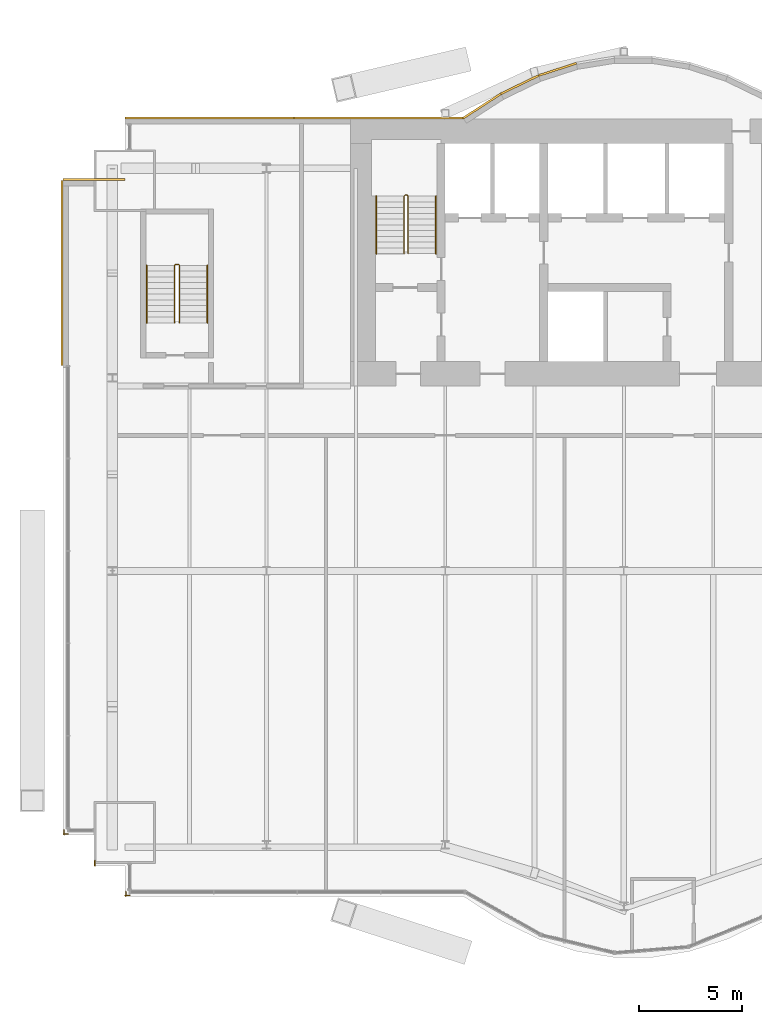
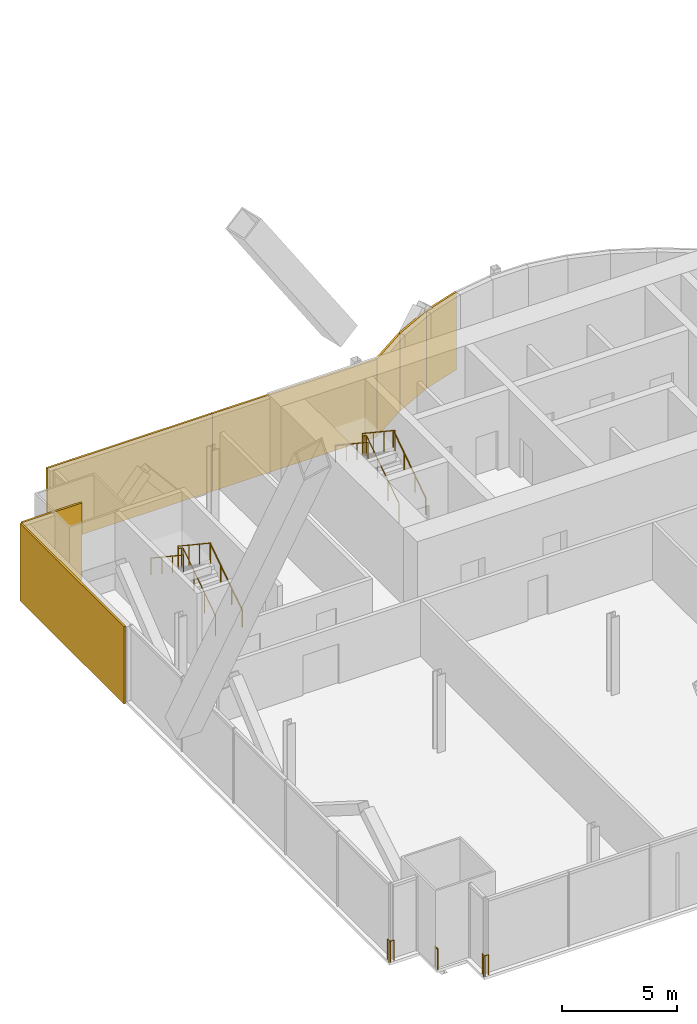
# One storey, part 21 of 23: 9 railings, 7 coverings.
"""IFC4 building model written with IfcOpenShell, lengths in metres."""

from ifc_helpers import new_model, si_unit, direction, frame, origin, origin_2d, place, context, subcontext, project, spatial, rectangle, circle, extrude, material, layer, layer_set, type_object, element, save


model = new_model("IFC4")

# Units and contexts
model_context = context("Model", 3, precision=1e-05, world=origin(), true_north=direction((0.0, 1.0)))
body_context = subcontext(model_context, "Body", "Model", "MODEL_VIEW")
ifc_project = project(units=[si_unit("LENGTHUNIT", "METRE"), si_unit("AREAUNIT", "SQUARE_METRE"), si_unit("VOLUMEUNIT", "CUBIC_METRE"), si_unit("PLANEANGLEUNIT", "RADIAN"), si_unit("MASSUNIT", "GRAM", prefix="KILO")], contexts=[model_context])

# Site, building, storey
site_placement = place(None, origin())
site = spatial("IfcSite", under=ifc_project, at=site_placement, CompositionType="ELEMENT")
building_placement = place(site_placement, origin())
building = spatial("IfcBuilding", under=site, at=building_placement, Name="Bicima Exchange Tower", CompositionType="ELEMENT")
storey_placement = place(building_placement, frame((0.0, 0.0, 110.39990234375)))
storey = spatial("IfcBuildingStorey", under=building, at=storey_placement, Name="L23", CompositionType="ELEMENT", Elevation=110.39990234375)

# Coverings
ifc_material_1 = material(Name="Bronze metal cladding")
ifc_layer_1 = layer(ifc_material_1, 0.004)
ifc_material_2 = material(Name="Ventilated cavity")
ifc_layer_2 = layer(ifc_material_2, 0.06)
ifc_material_3 = material(Name="Galvanised steel rail and mineral wool", Category="steel")
ifc_layer_3 = layer(ifc_material_3, 0.036)
ifc_layer_set = layer_set([ifc_layer_1, ifc_layer_2, ifc_layer_3], Name="Ventilated cavity")
covering_type = type_object("IfcCoveringType", Name="Bronze metal cladding panel 100", PredefinedType="CLADDING", material=ifc_layer_set)
covering_1_placement = place(storey_placement, frame((-11.931884765625, 2.41796875, -0.14990234375), z_axis=(0.0, 0.0, 1.0), x_axis=(-0.951524642381, -0.307572519808, 0.0)))
element("IfcCovering", 1, at=covering_1_placement, inside=storey, type_object=covering_type, Name="Bronze cladding L23 17.1", PredefinedType="CLADDING", context=body_context, shape_type="SweptSolid", body=[
    extrude(rectangle(XDim=1.9267578125, YDim=0.10009765625, at=origin_2d()), origin(), (0.0, 0.0, 1.0), 4.10009765625),
])
covering_2_placement = place(storey_placement, frame((-13.771728515625, 1.674560546875, -0.14990234375), z_axis=(0.0, 0.0, 1.0), x_axis=(-0.899818346812, -0.436264762204, 0.0)))
element("IfcCovering", 2, at=covering_2_placement, inside=storey, type_object=covering_type, Name="Bronze cladding L23 18.1", PredefinedType="CLADDING", context=body_context, shape_type="SweptSolid", body=[
    extrude(rectangle(XDim=2.03759765625, YDim=0.10009765625, at=origin_2d()), origin(), (0.0, 0.0, 1.0), 4.10009765625),
])
covering_3_placement = place(storey_placement, frame((-15.610595703125, 0.634521484375, -0.14990234375), z_axis=(0.0, 0.0, 1.0), x_axis=(-0.839790466384, -0.542910648791, 0.0)))
element("IfcCovering", 3, at=covering_3_placement, inside=storey, type_object=covering_type, Name="Bronze cladding L23 19.1", PredefinedType="CLADDING", context=body_context, shape_type="SweptSolid", body=[
    extrude(rectangle(XDim=2.18310546875, YDim=0.10009765625, at=origin_2d()), origin(), (0.0, 0.0, 1.0), 4.10009765625),
])
for number, where, z_axis, x_axis, name in (
    (4, (-20.625, 0.050048828125, -0.14990234375), (0.0, 0.0, 1.0), (-1.0, 0.0, 0.0), "Bronze cladding L23 20.1"),
    (5, (-28.875, 0.050048828125, -0.14990234375), (0.0, 0.0, 1.0), (-1.0, 0.0, 0.0), "Bronze cladding L23 20.2"),
):
    element("IfcCovering", number, at=place(storey_placement, frame(where, z_axis=z_axis, x_axis=x_axis)), inside=storey, type_object=covering_type, Name=name, PredefinedType="CLADDING", context=body_context, shape_type="SweptSolid", body=[
        extrude(rectangle(XDim=8.25, YDim=0.10009765625, at=origin_2d()), origin(), (0.0, 0.0, 1.0), 4.10009765625),
    ])
covering_4_placement = place(storey_placement, frame((-34.5, -2.949951171875, -0.14990234375), z_axis=(0.0, 0.0, 1.0), x_axis=(-1.0, 0.0, 0.0)))
element("IfcCovering", 6, at=covering_4_placement, inside=storey, type_object=covering_type, Name="Bronze cladding L23 22.1", PredefinedType="CLADDING", context=body_context, shape_type="SweptSolid", body=[
    extrude(rectangle(XDim=3.0, YDim=0.10009765625, at=origin_2d()), origin(), (0.0, 0.0, 1.0), 4.10009765625),
])
covering_5_placement = place(storey_placement, frame((-36.050048828125, -7.5, -0.14990234375), z_axis=(0.0, 0.0, 1.0), x_axis=(0.0, -1.0, 0.0)))
element("IfcCovering", 7, at=covering_5_placement, inside=storey, type_object=covering_type, Name="Bronze cladding L23 23.1", PredefinedType="CLADDING", context=body_context, shape_type="SweptSolid", body=[
    extrude(rectangle(XDim=9.0, YDim=0.10009765625, at=origin_2d()), origin(), (0.0, 0.0, 1.0), 4.10009765625),
])

# Railings
ifc_material_4 = material(Name="Stainless steel and bonded safety glass", Category="steel")
railing_type_1 = type_object("IfcRailingType", Name="Edge guard 1100", PredefinedType="GUARDRAIL", material=ifc_material_4)
railing_1_placement = place(storey_placement, frame((-35.75, -34.802001953125, 0.0)))
element("IfcRailing", 8, at=railing_1_placement, inside=storey, type_object=railing_type_1, Name="Edge guard L23 109", PredefinedType="GUARDRAIL", context=body_context, shape_type="SweptSolid", body=[
    extrude(circle(Radius=0.02392578125, at=origin_2d()), frame((0.0, 0.0, 1.076171875), z_axis=(-1.0, 0.0, 0.0), x_axis=(0.0, -1.0, 0.0)), (0.0, 0.0, 1.0), 0.25),
    extrude(circle(Radius=0.02392578125, at=origin_2d()), frame((-0.25, 0.0, 1.076171875), z_axis=(0.707106781187, -0.707106781187, 0.0), x_axis=(0.707106781187, 0.707106781187, 0.0)), (0.0, 0.0, 1.0), 0.07080078125),
    extrude(circle(Radius=0.02392578125, at=origin_2d()), frame((-0.199951171875, -0.050048828125, 1.076171875), z_axis=(0.0, 1.0, 0.0), x_axis=(-1.0, 0.0, 0.0)), (0.0, 0.0, 1.0), 0.2490234375),
    extrude(circle(Radius=0.02099609375, at=origin_2d()), origin(), (0.0, 0.0, 1.0), 1.052001953125),
    extrude(circle(Radius=0.02099609375, at=origin_2d()), frame((-0.25, 0.0, 0.0)), (0.0, 0.0, 1.0), 1.052001953125),
    extrude(circle(Radius=0.02099609375, at=origin_2d()), frame((-0.199951171875, -0.050048828125, 0.0)), (0.0, 0.0, 1.0), 1.052001953125),
    extrude(circle(Radius=0.02099609375, at=origin_2d()), frame((-0.199951171875, 0.198974609375, 0.0)), (0.0, 0.0, 1.0), 1.052001953125),
])
railing_2_placement = place(storey_placement, frame((-32.75, -37.802001953125, 0.0)))
element("IfcRailing", 9, at=railing_2_placement, inside=storey, type_object=railing_type_1, Name="Edge guard L23 113", PredefinedType="GUARDRAIL", context=body_context, shape_type="SweptSolid", body=[
    extrude(circle(Radius=0.02392578125, at=origin_2d()), frame((0.0, 0.0, 1.076171875), z_axis=(-1.0, 0.0, 0.0), x_axis=(0.0, -1.0, 0.0)), (0.0, 0.0, 1.0), 0.25),
    extrude(circle(Radius=0.02392578125, at=origin_2d()), frame((-0.25, 0.0, 1.076171875), z_axis=(0.707106781187, -0.707106781187, 0.0), x_axis=(0.707106781187, 0.707106781187, 0.0)), (0.0, 0.0, 1.0), 0.07080078125),
    extrude(circle(Radius=0.02392578125, at=origin_2d()), frame((-0.199951171875, -0.050048828125, 1.076171875), z_axis=(0.0, 1.0, 0.0), x_axis=(-1.0, 0.0, 0.0)), (0.0, 0.0, 1.0), 0.25),
    extrude(circle(Radius=0.02099609375, at=origin_2d()), origin(), (0.0, 0.0, 1.0), 1.052001953125),
    extrude(circle(Radius=0.02099609375, at=origin_2d()), frame((-0.25, 0.0, 0.0)), (0.0, 0.0, 1.0), 1.052001953125),
    extrude(circle(Radius=0.02099609375, at=origin_2d()), frame((-0.199951171875, -0.050048828125, 0.0)), (0.0, 0.0, 1.0), 1.052001953125),
    extrude(circle(Radius=0.02099609375, at=origin_2d()), frame((-0.199951171875, 0.199951171875, 0.0)), (0.0, 0.0, 1.0), 1.052001953125),
])
railing_3_placement = place(storey_placement, frame((-34.449951171875, -36.35205078125, 0.0)))
element("IfcRailing", 10, at=railing_3_placement, inside=storey, type_object=railing_type_1, Name="Edge guard L23 114", PredefinedType="GUARDRAIL", context=body_context, shape_type="SweptSolid", body=[
    extrude(circle(Radius=0.02392578125, at=origin_2d()), frame((0.0, 0.0, 1.076171875), z_axis=(0.0, 1.0, 0.0), x_axis=(-1.0, 0.0, 0.0)), (0.0, 0.0, 1.0), 0.25),
    extrude(circle(Radius=0.02099609375, at=origin_2d()), origin(), (0.0, 0.0, 1.0), 1.052001953125),
    extrude(circle(Radius=0.02099609375, at=origin_2d()), frame((0.0, 0.25, 0.0)), (0.0, 0.0, 1.0), 1.052001953125),
])
ifc_material_5 = material(Name="Stainless steel", Category="steel")
railing_type_2 = type_object("IfcRailingType", Name="Stair guard 1100", PredefinedType="GUARDRAIL", material=ifc_material_5)
railing_4_placement = place(storey_placement, frame((-19.199951171875, -6.550048828125, 0.1865234375)))
element("IfcRailing", 11, at=railing_4_placement, inside=storey, type_object=railing_type_2, Name="L23 ST-W stair guard 1", PredefinedType="GUARDRAIL", context=body_context, shape_type="SweptSolid", body=[
    extrude(circle(Radius=0.02392578125, at=origin_2d()), frame((0.0, 0.0, 1.076171875), z_axis=(0.0, 0.832485552168, 0.554046753832), x_axis=(-1.0, 0.0, 0.0)), (0.0, 0.0, 1.0), 3.363525390625),
    extrude(circle(Radius=0.02392578125, at=origin_2d()), frame((0.0, 2.800048828125, 2.939453125), z_axis=(-0.707106781187, 0.707106781187, 0.0), x_axis=(-0.707106781187, -0.707106781187, 0.0)), (0.0, 0.0, 1.0), 0.07080078125),
    extrude(circle(Radius=0.02392578125, at=origin_2d()), frame((-0.050048828125, 2.85009765625, 2.939453125), z_axis=(-1.0, 0.0, 0.0), x_axis=(0.0, -1.0, 0.0)), (0.0, 0.0, 1.0), 0.10009765625),
    extrude(circle(Radius=0.02392578125, at=origin_2d()), frame((-0.150146484375, 2.85009765625, 2.939453125), z_axis=(-0.249722437352, -0.250946566947, 0.935235010476), x_axis=(0.708833529934, -0.705375805398, 0.0)), (0.0, 0.0, 1.0), 0.199462890625),
    extrude(circle(Radius=0.02392578125, at=origin_2d()), frame((-0.199951171875, 2.800048828125, 3.1259765625), z_axis=(0.0, -0.832485552168, 0.554046753832), x_axis=(1.0, 0.0, 0.0)), (0.0, 0.0, 1.0), 3.363525390625),
    extrude(circle(Radius=0.02099609375, at=origin_2d()), origin(), (0.0, 0.0, 1.0), 1.052001953125),
    extrude(circle(Radius=0.02099609375, at=origin_2d()), frame((0.0, 0.933349609375, 0.62109375)), (0.0, 0.0, 1.0), 1.052001953125),
    extrude(circle(Radius=0.02099609375, at=origin_2d()), frame((0.0, 1.86669921875, 1.242431640625)), (0.0, 0.0, 1.0), 1.052001953125),
    extrude(circle(Radius=0.02099609375, at=origin_2d()), frame((0.0, 2.800048828125, 1.863525390625)), (0.0, 0.0, 1.0), 1.052001953125),
    extrude(circle(Radius=0.02099609375, at=origin_2d()), frame((-0.050048828125, 2.85009765625, 1.863525390625)), (0.0, 0.0, 1.0), 1.052001953125),
    extrude(circle(Radius=0.02099609375, at=origin_2d()), frame((-0.150146484375, 2.85009765625, 1.863525390625)), (0.0, 0.0, 1.0), 1.052001953125),
    extrude(circle(Radius=0.02099609375, at=origin_2d()), frame((-0.199951171875, 2.800048828125, 2.050048828125)), (0.0, 0.0, 1.0), 1.052001953125),
    extrude(circle(Radius=0.02099609375, at=origin_2d()), frame((-0.199951171875, 1.86669921875, 2.671142578125)), (0.0, 0.0, 1.0), 1.052001953125),
    extrude(circle(Radius=0.02099609375, at=origin_2d()), frame((-0.199951171875, 0.933349609375, 3.29248046875)), (0.0, 0.0, 1.0), 1.052001953125),
    extrude(circle(Radius=0.02099609375, at=origin_2d()), frame((-0.199951171875, 0.0, 3.91357421875)), (0.0, 0.0, 1.0), 1.052001953125),
])
railing_5_placement = place(storey_placement, frame((-30.324951171875, -9.925048828125, 0.1865234375)))
element("IfcRailing", 12, at=railing_5_placement, inside=storey, type_object=railing_type_2, Name="L23 ST-WW stair guard 1", PredefinedType="GUARDRAIL", context=body_context, shape_type="SweptSolid", body=[
    extrude(circle(Radius=0.02392578125, at=origin_2d()), frame((0.0, 0.0, 1.076171875), z_axis=(0.0, 0.832485552168, 0.554046753832), x_axis=(-1.0, 0.0, 0.0)), (0.0, 0.0, 1.0), 3.363525390625),
    extrude(circle(Radius=0.02392578125, at=origin_2d()), frame((0.0, 2.800048828125, 2.939453125), z_axis=(-0.707106781187, 0.707106781187, 0.0), x_axis=(-0.707106781187, -0.707106781187, 0.0)), (0.0, 0.0, 1.0), 0.07080078125),
    extrude(circle(Radius=0.02392578125, at=origin_2d()), frame((-0.050048828125, 2.85009765625, 2.939453125), z_axis=(-1.0, 0.0, 0.0), x_axis=(0.0, -1.0, 0.0)), (0.0, 0.0, 1.0), 0.14990234375),
    extrude(circle(Radius=0.02392578125, at=origin_2d()), frame((-0.199951171875, 2.85009765625, 2.939453125), z_axis=(-0.250869701741, -0.250869701741, 0.934948546978), x_axis=(0.707106781187, -0.707106781187, 0.0)), (0.0, 0.0, 1.0), 0.199462890625),
    extrude(circle(Radius=0.02392578125, at=origin_2d()), frame((-0.25, 2.800048828125, 3.1259765625), z_axis=(0.0, -0.832485552168, 0.554046753832), x_axis=(1.0, 0.0, 0.0)), (0.0, 0.0, 1.0), 3.363525390625),
    extrude(circle(Radius=0.02099609375, at=origin_2d()), origin(), (0.0, 0.0, 1.0), 1.052001953125),
    extrude(circle(Radius=0.02099609375, at=origin_2d()), frame((0.0, 0.933349609375, 0.62109375)), (0.0, 0.0, 1.0), 1.052001953125),
    extrude(circle(Radius=0.02099609375, at=origin_2d()), frame((0.0, 1.86669921875, 1.242431640625)), (0.0, 0.0, 1.0), 1.052001953125),
    extrude(circle(Radius=0.02099609375, at=origin_2d()), frame((0.0, 2.800048828125, 1.863525390625)), (0.0, 0.0, 1.0), 1.052001953125),
    extrude(circle(Radius=0.02099609375, at=origin_2d()), frame((-0.050048828125, 2.85009765625, 1.863525390625)), (0.0, 0.0, 1.0), 1.052001953125),
    extrude(circle(Radius=0.02099609375, at=origin_2d()), frame((-0.199951171875, 2.85009765625, 1.863525390625)), (0.0, 0.0, 1.0), 1.052001953125),
    extrude(circle(Radius=0.02099609375, at=origin_2d()), frame((-0.25, 2.800048828125, 2.050048828125)), (0.0, 0.0, 1.0), 1.052001953125),
    extrude(circle(Radius=0.02099609375, at=origin_2d()), frame((-0.25, 1.86669921875, 2.671142578125)), (0.0, 0.0, 1.0), 1.052001953125),
    extrude(circle(Radius=0.02099609375, at=origin_2d()), frame((-0.25, 0.933349609375, 3.29248046875)), (0.0, 0.0, 1.0), 1.052001953125),
    extrude(circle(Radius=0.02099609375, at=origin_2d()), frame((-0.25, 0.0, 3.91357421875)), (0.0, 0.0, 1.0), 1.052001953125),
])
railing_type_3 = type_object("IfcRailingType", Name="Stair handrail 900", PredefinedType="HANDRAIL", material=ifc_material_5)
railing_6_placement = place(storey_placement, frame((-17.85009765625, -6.550048828125, 0.1865234375)))
element("IfcRailing", 13, at=railing_6_placement, inside=storey, type_object=railing_type_3, Name="L23 ST-W stair handrail 1", PredefinedType="HANDRAIL", context=body_context, shape_type="SweptSolid", body=[
    extrude(circle(Radius=0.02392578125, at=origin_2d()), frame((0.0, 0.0, 0.8759765625), z_axis=(0.0, 0.832485552168, 0.554046753832), x_axis=(-1.0, 0.0, 0.0)), (0.0, 0.0, 1.0), 3.363525390625),
    extrude(circle(Radius=0.02099609375, at=origin_2d()), origin(), (0.0, 0.0, 1.0), 0.851806640625),
    extrude(circle(Radius=0.02099609375, at=origin_2d()), frame((0.0, 0.933349609375, 0.62109375)), (0.0, 0.0, 1.0), 0.851806640625),
    extrude(circle(Radius=0.02099609375, at=origin_2d()), frame((0.0, 1.86669921875, 1.242431640625)), (0.0, 0.0, 1.0), 0.851806640625),
    extrude(circle(Radius=0.02099609375, at=origin_2d()), frame((0.0, 2.800048828125, 1.863525390625)), (0.0, 0.0, 1.0), 0.851806640625),
])
railing_7_placement = place(storey_placement, frame((-20.75, -3.75, 2.27685546875)))
element("IfcRailing", 14, at=railing_7_placement, inside=storey, type_object=railing_type_3, Name="L23 ST-W stair handrail 2", PredefinedType="HANDRAIL", context=body_context, shape_type="SweptSolid", body=[
    extrude(circle(Radius=0.02392578125, at=origin_2d()), frame((0.0, 0.0, 0.8759765625), z_axis=(0.0, -0.832485552168, 0.554046753832), x_axis=(1.0, 0.0, 0.0)), (0.0, 0.0, 1.0), 3.363525390625),
    extrude(circle(Radius=0.02099609375, at=origin_2d()), origin(), (0.0, 0.0, 1.0), 0.851806640625),
    extrude(circle(Radius=0.02099609375, at=origin_2d()), frame((0.0, -0.933349609375, 0.62109375)), (0.0, 0.0, 1.0), 0.851806640625),
    extrude(circle(Radius=0.02099609375, at=origin_2d()), frame((0.0, -1.86669921875, 1.242431640625)), (0.0, 0.0, 1.0), 0.851806640625),
    extrude(circle(Radius=0.02099609375, at=origin_2d()), frame((0.0, -2.800048828125, 1.863525390625)), (0.0, 0.0, 1.0), 0.851806640625),
])
railing_8_placement = place(storey_placement, frame((-28.97509765625, -9.925048828125, 0.1865234375)))
element("IfcRailing", 15, at=railing_8_placement, inside=storey, type_object=railing_type_3, Name="L23 ST-WW stair handrail 1", PredefinedType="HANDRAIL", context=body_context, shape_type="SweptSolid", body=[
    extrude(circle(Radius=0.02392578125, at=origin_2d()), frame((0.0, 0.0, 0.8759765625), z_axis=(0.0, 0.832485552168, 0.554046753832), x_axis=(-1.0, 0.0, 0.0)), (0.0, 0.0, 1.0), 3.363525390625),
    extrude(circle(Radius=0.02099609375, at=origin_2d()), origin(), (0.0, 0.0, 1.0), 0.851806640625),
    extrude(circle(Radius=0.02099609375, at=origin_2d()), frame((0.0, 0.933349609375, 0.62109375)), (0.0, 0.0, 1.0), 0.851806640625),
    extrude(circle(Radius=0.02099609375, at=origin_2d()), frame((0.0, 1.86669921875, 1.242431640625)), (0.0, 0.0, 1.0), 0.851806640625),
    extrude(circle(Radius=0.02099609375, at=origin_2d()), frame((0.0, 2.800048828125, 1.863525390625)), (0.0, 0.0, 1.0), 0.851806640625),
])
railing_9_placement = place(storey_placement, frame((-31.925048828125, -7.125, 2.27685546875)))
element("IfcRailing", 16, at=railing_9_placement, inside=storey, type_object=railing_type_3, Name="L23 ST-WW stair handrail 2", PredefinedType="HANDRAIL", context=body_context, shape_type="SweptSolid", body=[
    extrude(circle(Radius=0.02392578125, at=origin_2d()), frame((0.0, 0.0, 0.8759765625), z_axis=(0.0, -0.832485552168, 0.554046753832), x_axis=(1.0, 0.0, 0.0)), (0.0, 0.0, 1.0), 3.363525390625),
    extrude(circle(Radius=0.02099609375, at=origin_2d()), origin(), (0.0, 0.0, 1.0), 0.851806640625),
    extrude(circle(Radius=0.02099609375, at=origin_2d()), frame((0.0, -0.933349609375, 0.62109375)), (0.0, 0.0, 1.0), 0.851806640625),
    extrude(circle(Radius=0.02099609375, at=origin_2d()), frame((0.0, -1.86669921875, 1.242431640625)), (0.0, 0.0, 1.0), 0.851806640625),
    extrude(circle(Radius=0.02099609375, at=origin_2d()), frame((0.0, -2.800048828125, 1.863525390625)), (0.0, 0.0, 1.0), 0.851806640625),
])

save(model, "model.ifc")
